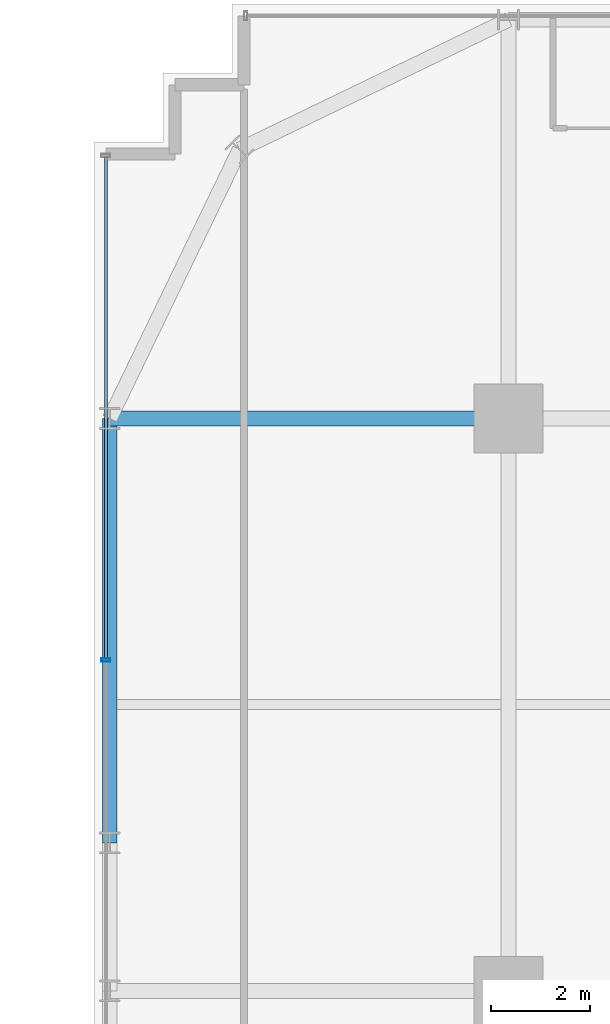
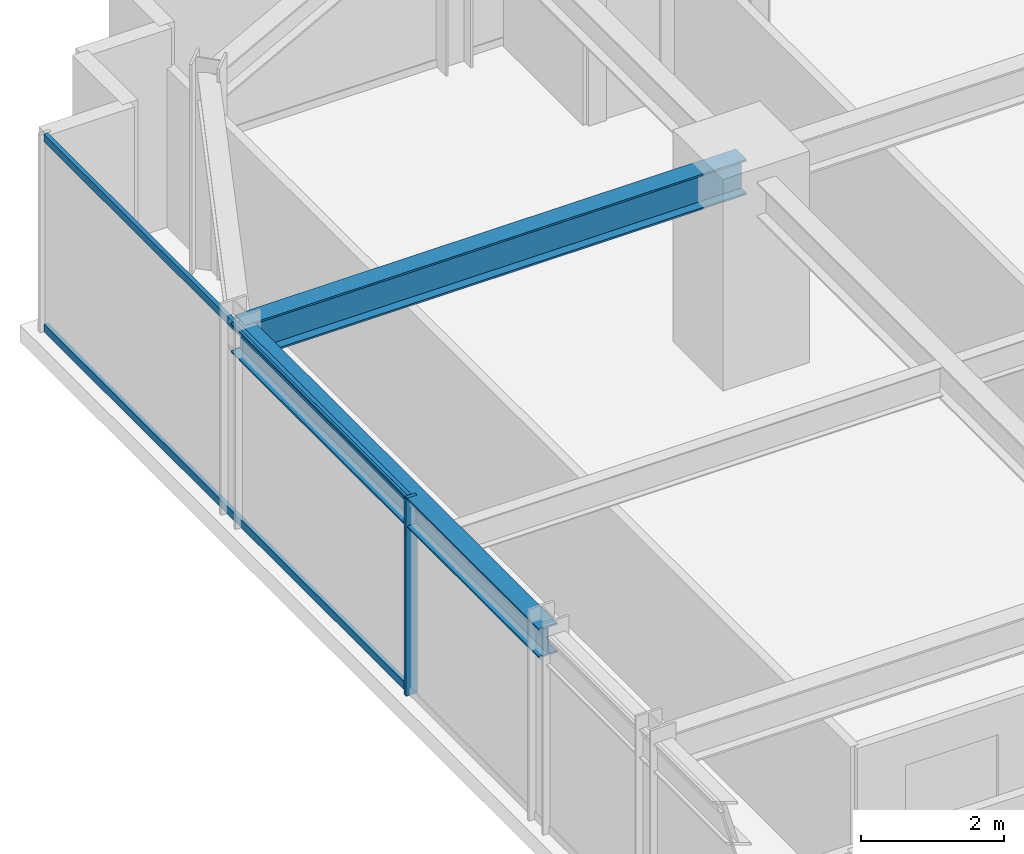
# One storey, part 19 of 37: 3 members, 2 beams, 1 element without a shape of its own.
"""IFC4 building model written with IfcOpenShell, lengths in metres."""

from ifc_helpers import new_model, si_unit, direction, frame, origin, origin_2d, place, context, subcontext, project, spatial, hollow_rectangle, i_section, extrude, source, transform, mapped, material, material_profile, profile_set, type_object, element, aggregate, save


model = new_model("IFC4")

# Units and contexts
model_context = context("Model", 3, precision=1e-05, world=origin(), true_north=direction((0.0, 1.0)))
body_context = subcontext(model_context, "Body", "Model", "MODEL_VIEW")
ifc_project = project(units=[si_unit("LENGTHUNIT", "METRE"), si_unit("AREAUNIT", "SQUARE_METRE"), si_unit("VOLUMEUNIT", "CUBIC_METRE"), si_unit("PLANEANGLEUNIT", "RADIAN"), si_unit("MASSUNIT", "GRAM", prefix="KILO")], contexts=[model_context])

# Site, building, storey
site_placement = place(None, origin())
site = spatial("IfcSite", under=ifc_project, at=site_placement, CompositionType="ELEMENT")
building_placement = place(site_placement, origin())
building = spatial("IfcBuilding", under=site, at=building_placement, Name="Nahalor Promenade Grand Hotel", CompositionType="ELEMENT")
storey_placement = place(building_placement, frame((0.0, 0.0, 36.050048828125)))
storey = spatial("IfcBuildingStorey", under=building, at=storey_placement, Name="L07", CompositionType="ELEMENT", Elevation=36.050048828125)

# Beams
ifc_material_1 = material(Name="Steel S355JR", Category="steel")
ifc_material_profile_1 = material_profile(ifc_material_1, i_section(OverallWidth=0.3, OverallDepth=0.5, WebThickness=0.0145, FlangeThickness=0.028, at=origin_2d()), Name="HEB 500")
ifc_profile_set_1 = profile_set([ifc_material_profile_1], Name="Steel S355JR")
beam_type_1 = type_object("IfcBeamType", Name="Beam-Spandrel-HEB500", PredefinedType="SPANDREL", material=ifc_profile_set_1)
shared_shape_1 = source(origin(), body_context, "Body", "SweptSolid", [
    extrude(i_section(OverallWidth=0.3, OverallDepth=0.5, WebThickness=0.0145, FlangeThickness=0.028, at=origin_2d()), origin(), (0.0, 0.0, 1.0), 8.60009765625),
])
beam_1_placement = place(storey_placement, frame((-25.080078125, 8.39990234375, 3.119873046875), z_axis=(0.0, 1.0, 0.0), x_axis=(-1.0, 0.0, 0.0)))
element("IfcBeam", 1, at=beam_1_placement, inside=storey, type_object=beam_type_1, Name="BM-L07-SP-W-4", PredefinedType="SPANDREL", context=body_context, shape_type="MappedRepresentation", body=[
    mapped(shared_shape_1, transform((0.0, 0.0, 0.0), scale=1.0)),
])
ifc_material_profile_2 = material_profile(ifc_material_1, i_section(OverallWidth=0.3, OverallDepth=0.6, WebThickness=0.0155, FlangeThickness=0.03, at=origin_2d()), Name="HEB 600")
ifc_profile_set_2 = profile_set([ifc_material_profile_2], Name="Steel S355JR")
beam_type_2 = type_object("IfcBeamType", Name="Beam-Girder-HEB600", PredefinedType="BEAM", material=ifc_profile_set_2)
shared_shape_2 = source(origin(), body_context, "Body", "SweptSolid", [
    extrude(i_section(OverallWidth=0.3, OverallDepth=0.6, WebThickness=0.0155, FlangeThickness=0.03, at=origin_2d()), origin(), (0.0, 0.0, 1.0), 8.080078125),
])
beam_2_placement = place(storey_placement, frame((-25.080078125, 17.0, 3.070068359375), z_axis=(1.0, 0.0, 0.0), x_axis=(0.0, 1.0, 0.0)))
element("IfcBeam", 2, at=beam_2_placement, inside=storey, type_object=beam_type_2, Name="BM-L07-GX-3-0", PredefinedType="BEAM", context=body_context, shape_type="MappedRepresentation", body=[
    mapped(shared_shape_2, transform((0.0, 0.0, 0.0), scale=1.0)),
])

# Curtain wall, members
ifc_material_2 = material(Name="Anodised Bronze Aluminium EN AW-6063 T6", Category="aluminium")
curtain_wall_type = type_object("IfcCurtainWallType", Name="CW2 Typical Hotel Flush Bronze Unitised Curtain Wall", PredefinedType="USERDEFINED", material=ifc_material_2)
curtain_wall_placement = place(storey_placement, origin())
curtain_wall = element("IfcCurtainWall", 3, at=curtain_wall_placement, inside=storey, type_object=curtain_wall_type, Name="L07 Curtain Wall CW-L07-W-3", ObjectType="UNITISED_CURTAIN_WALL", PredefinedType="USERDEFINED")
ifc_material_profile_3 = material_profile(ifc_material_2, hollow_rectangle(XDim=0.065, YDim=0.13, WallThickness=0.004, at=origin_2d()), Name="CWT 65x130x4")
ifc_profile_set_3 = profile_set([ifc_material_profile_3], Name="Anodised Bronze Aluminium EN AW-6063 T6")
member_type_1 = type_object("IfcMemberType", Name="CWT2 Typical Bronze Transom 65x130", PredefinedType="USERDEFINED", material=ifc_profile_set_3)
shared_shape_3 = source(origin(), body_context, "Body", "SweptSolid", [
    extrude(hollow_rectangle(XDim=0.065, YDim=0.13, WallThickness=0.004, at=origin_2d()), origin(), (0.0, 0.0, 1.0), 10.15576171875),
])
member_1_placement = place(storey_placement, frame((-25.159912109375, 12.13916015625, 0.06494140625), z_axis=(0.0, 1.0, 0.0), x_axis=(-1.0, 0.0, 0.0)))
member_1 = element("IfcMember", 4, at=member_1_placement, type_object=member_type_1, Name="CW-L07-W-3 Transom 2-0", ObjectType="TRANSOM", PredefinedType="USERDEFINED", context=body_context, shape_type="MappedRepresentation", body=[
    mapped(shared_shape_3, transform((0.0, 0.0, 0.0), scale=1.0)),
])
member_2_placement = place(storey_placement, frame((-25.159912109375, 12.13916015625, 3.304931640625), z_axis=(0.0, 1.0, 0.0), x_axis=(-1.0, 0.0, 0.0)))
member_2 = element("IfcMember", 5, at=member_2_placement, type_object=member_type_1, Name="CW-L07-W-3 Transom 2-1", ObjectType="TRANSOM", PredefinedType="USERDEFINED", context=body_context, shape_type="MappedRepresentation", body=[
    mapped(shared_shape_3, transform((0.0, 0.0, 0.0), scale=1.0)),
])
ifc_material_profile_4 = material_profile(ifc_material_2, hollow_rectangle(XDim=0.065, YDim=0.18, WallThickness=0.004, at=origin_2d()), Name="CWM 65x180x4")
ifc_profile_set_4 = profile_set([ifc_material_profile_4], Name="Anodised Bronze Aluminium EN AW-6063 T6")
member_type_2 = type_object("IfcMemberType", Name="CWM2 Typical Bronze Mullion 65x180", PredefinedType="MULLION", material=ifc_profile_set_4)
shared_shape_4 = source(origin(), body_context, "Body", "SweptSolid", [
    extrude(hollow_rectangle(XDim=0.065, YDim=0.18, WallThickness=0.004, at=origin_2d()), origin(), (0.0, 0.0, 1.0), 3.369873046875),
])
member_3_placement = place(storey_placement, frame((-25.159912109375, 12.106689453125, 0.0), z_axis=(0.0, 0.0, 1.0), x_axis=(0.0, 1.0, 0.0)))
member_3 = element("IfcMember", 6, at=member_3_placement, type_object=member_type_2, Name="CW-L07-W-3 Mullion 2", PredefinedType="MULLION", context=body_context, shape_type="MappedRepresentation", body=[
    mapped(shared_shape_4, transform((0.0, 0.0, 0.0), scale=1.0)),
])
aggregate(curtain_wall, [member_3, member_1, member_2])

save(model, "model.ifc")
